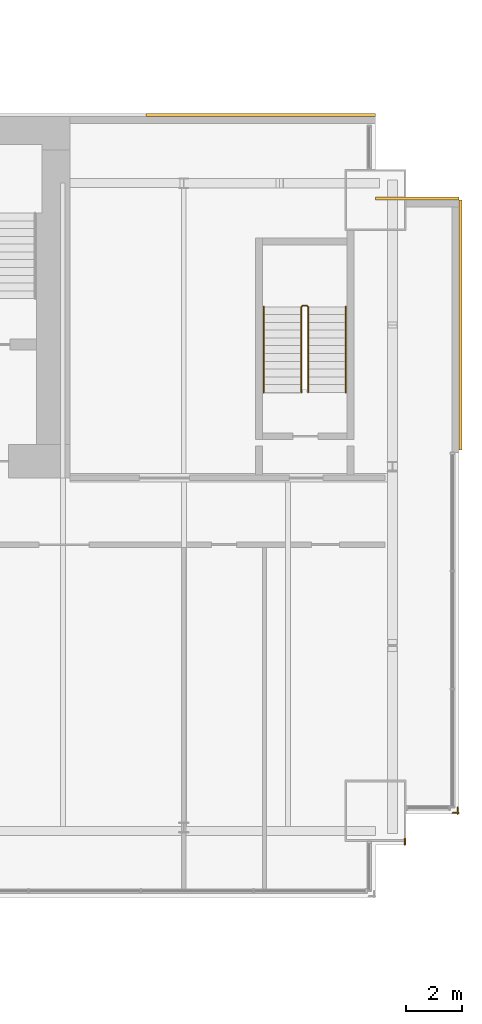
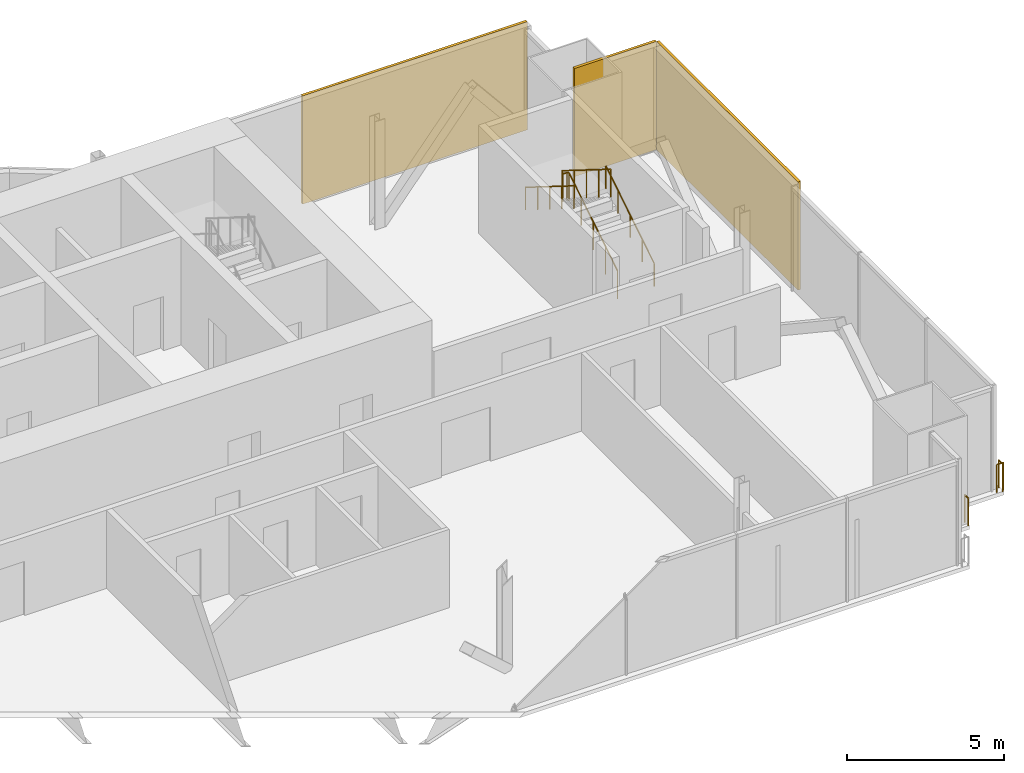
# One storey, part 19 of 19: 5 railings, 3 coverings.
"""IFC4 building model written with IfcOpenShell, lengths in metres."""

from ifc_helpers import new_model, si_unit, direction, frame, origin, origin_2d, place, context, subcontext, project, spatial, rectangle, circle, extrude, material, layer, layer_set, type_object, element, save


model = new_model("IFC4")

# Units and contexts
model_context = context("Model", 3, precision=1e-05, world=origin(), true_north=direction((0.0, 1.0)))
body_context = subcontext(model_context, "Body", "Model", "MODEL_VIEW")
ifc_project = project(units=[si_unit("LENGTHUNIT", "METRE"), si_unit("AREAUNIT", "SQUARE_METRE"), si_unit("VOLUMEUNIT", "CUBIC_METRE"), si_unit("PLANEANGLEUNIT", "RADIAN"), si_unit("MASSUNIT", "GRAM", prefix="KILO")], contexts=[model_context])

# Site, building, storey
site_placement = place(None, origin())
site = spatial("IfcSite", under=ifc_project, at=site_placement, CompositionType="ELEMENT")
building_placement = place(site_placement, origin())
building = spatial("IfcBuilding", under=site, at=building_placement, Name="Bicima Exchange Tower", CompositionType="ELEMENT")
storey_placement = place(building_placement, frame((0.0, 0.0, 279.199951171875)))
storey = spatial("IfcBuildingStorey", under=building, at=storey_placement, Name="L63", CompositionType="ELEMENT", Elevation=279.199951171875)

# Coverings
ifc_material_1 = material(Name="Bronze metal cladding")
ifc_layer_1 = layer(ifc_material_1, 0.004)
ifc_material_2 = material(Name="Ventilated cavity")
ifc_layer_2 = layer(ifc_material_2, 0.06)
ifc_material_3 = material(Name="Galvanised steel rail and mineral wool", Category="steel")
ifc_layer_3 = layer(ifc_material_3, 0.036)
ifc_layer_set = layer_set([ifc_layer_1, ifc_layer_2, ifc_layer_3], Name="Ventilated cavity")
covering_type = type_object("IfcCoveringType", Name="Bronze metal cladding panel 100", PredefinedType="CLADDING", material=ifc_layer_set)
covering_1_placement = place(storey_placement, frame((28.875, 0.050048828125, -0.14990234375), z_axis=(0.0, 0.0, 1.0), x_axis=(-1.0, 0.0, 0.0)))
element("IfcCovering", 1, at=covering_1_placement, inside=storey, type_object=covering_type, Name="Bronze cladding L63 1.1", PredefinedType="CLADDING", context=body_context, shape_type="SweptSolid", body=[
    extrude(rectangle(XDim=8.25, YDim=0.10009765625, at=origin_2d()), origin(), (0.0, 0.0, 1.0), 4.199951171875),
])
covering_2_placement = place(storey_placement, frame((36.050048828125, -7.5, -0.14990234375), z_axis=(0.0, 0.0, 1.0), x_axis=(0.0, 1.0, 0.0)))
element("IfcCovering", 2, at=covering_2_placement, inside=storey, type_object=covering_type, Name="Bronze cladding L63 50.1", PredefinedType="CLADDING", context=body_context, shape_type="SweptSolid", body=[
    extrude(rectangle(XDim=9.0, YDim=0.10009765625, at=origin_2d()), origin(), (0.0, 0.0, 1.0), 4.199951171875),
])
covering_3_placement = place(storey_placement, frame((34.5, -2.949951171875, -0.14990234375), z_axis=(0.0, 0.0, 1.0), x_axis=(-1.0, 0.0, 0.0)))
element("IfcCovering", 3, at=covering_3_placement, inside=storey, type_object=covering_type, Name="Bronze cladding L63 51.1", PredefinedType="CLADDING", context=body_context, shape_type="SweptSolid", body=[
    extrude(rectangle(XDim=3.0, YDim=0.10009765625, at=origin_2d()), origin(), (0.0, 0.0, 1.0), 4.199951171875),
])

# Railings
ifc_material_4 = material(Name="Stainless steel and bonded safety glass", Category="steel")
railing_type_1 = type_object("IfcRailingType", Name="Edge guard 1100", PredefinedType="GUARDRAIL", material=ifc_material_4)
railing_1_placement = place(storey_placement, frame((35.949951171875, -24.843994140625, 0.0)))
element("IfcRailing", 4, at=railing_1_placement, inside=storey, type_object=railing_type_1, Name="Edge guard L63 326", PredefinedType="GUARDRAIL", context=body_context, shape_type="SweptSolid", body=[
    extrude(circle(Radius=0.02392578125, at=origin_2d()), frame((0.0, 0.0, 1.076171875), z_axis=(0.0, -1.0, 0.0), x_axis=(1.0, 0.0, 0.0)), (0.0, 0.0, 1.0), 0.248046875),
    extrude(circle(Radius=0.02392578125, at=origin_2d()), frame((0.0, -0.248046875, 1.076171875), z_axis=(0.707106781187, 0.707106781187, 0.0), x_axis=(-0.707106781187, 0.707106781187, 0.0)), (0.0, 0.0, 1.0), 0.07080078125),
    extrude(circle(Radius=0.02392578125, at=origin_2d()), frame((0.050048828125, -0.197998046875, 1.076171875), z_axis=(-1.0, 0.0, 0.0), x_axis=(0.0, -1.0, 0.0)), (0.0, 0.0, 1.0), 0.237060546875),
    extrude(circle(Radius=0.02099609375, at=origin_2d()), origin(), (0.0, 0.0, 1.0), 1.052001953125),
    extrude(circle(Radius=0.02099609375, at=origin_2d()), frame((0.0, -0.248046875, 0.0)), (0.0, 0.0, 1.0), 1.052001953125),
    extrude(circle(Radius=0.02099609375, at=origin_2d()), frame((0.050048828125, -0.197998046875, 0.0)), (0.0, 0.0, 1.0), 1.052001953125),
    extrude(circle(Radius=0.02099609375, at=origin_2d()), frame((-0.18701171875, -0.197998046875, 0.0)), (0.0, 0.0, 1.0), 1.052001953125),
])
railing_2_placement = place(storey_placement, frame((34.050048828125, -25.971923828125, 0.0)))
element("IfcRailing", 5, at=railing_2_placement, inside=storey, type_object=railing_type_1, Name="Edge guard L63 327", PredefinedType="GUARDRAIL", context=body_context, shape_type="SweptSolid", body=[
    extrude(circle(Radius=0.02392578125, at=origin_2d()), frame((0.0, 0.0, 1.076171875), z_axis=(0.0, -1.0, 0.0), x_axis=(1.0, 0.0, 0.0)), (0.0, 0.0, 1.0), 0.219970703125),
    extrude(circle(Radius=0.02099609375, at=origin_2d()), origin(), (0.0, 0.0, 1.0), 1.052001953125),
    extrude(circle(Radius=0.02099609375, at=origin_2d()), frame((0.0, -0.219970703125, 0.0)), (0.0, 0.0, 1.0), 1.052001953125),
])
ifc_material_5 = material(Name="Stainless steel", Category="steel")
railing_type_2 = type_object("IfcRailingType", Name="Stair guard 1100", PredefinedType="GUARDRAIL", material=ifc_material_5)
railing_3_placement = place(storey_placement, frame((30.574951171875, -9.925048828125, 0.175048828125)))
element("IfcRailing", 6, at=railing_3_placement, inside=storey, type_object=railing_type_2, Name="L63 ST-EE stair guard 1", PredefinedType="GUARDRAIL", context=body_context, shape_type="SweptSolid", body=[
    extrude(circle(Radius=0.02392578125, at=origin_2d()), frame((0.0, 0.0, 1.076171875), z_axis=(0.0, 0.847998304005, 0.529998940003), x_axis=(-1.0, 0.0, 0.0)), (0.0, 0.0, 1.0), 3.632080078125),
    extrude(circle(Radius=0.02392578125, at=origin_2d()), frame((0.0, 3.080078125, 3.0009765625), z_axis=(-0.707106781187, 0.707106781187, 0.0), x_axis=(-0.707106781187, -0.707106781187, 0.0)), (0.0, 0.0, 1.0), 0.07080078125),
    extrude(circle(Radius=0.02392578125, at=origin_2d()), frame((-0.050048828125, 3.130126953125, 3.0009765625), z_axis=(-1.0, 0.0, 0.0), x_axis=(0.0, -1.0, 0.0)), (0.0, 0.0, 1.0), 0.14990234375),
    extrude(circle(Radius=0.02392578125, at=origin_2d()), frame((-0.199951171875, 3.130126953125, 3.0009765625), z_axis=(-0.265065253269, -0.265065253269, 0.927081885822), x_axis=(0.707106781187, -0.707106781187, 0.0)), (0.0, 0.0, 1.0), 0.188720703125),
    extrude(circle(Radius=0.02392578125, at=origin_2d()), frame((-0.25, 3.080078125, 3.17626953125), z_axis=(0.0, -0.848028513186, 0.529950602248), x_axis=(1.0, 0.0, 0.0)), (0.0, 0.0, 1.0), 3.632080078125),
    extrude(circle(Radius=0.02099609375, at=origin_2d()), origin(), (0.0, 0.0, 1.0), 1.052001953125),
    extrude(circle(Radius=0.02099609375, at=origin_2d()), frame((0.0, 0.77001953125, 0.481201171875)), (0.0, 0.0, 1.0), 1.052001953125),
    extrude(circle(Radius=0.02099609375, at=origin_2d()), frame((0.0, 1.5400390625, 0.96240234375)), (0.0, 0.0, 1.0), 1.052001953125),
    extrude(circle(Radius=0.02099609375, at=origin_2d()), frame((0.0, 2.31005859375, 1.44384765625)), (0.0, 0.0, 1.0), 1.052001953125),
    extrude(circle(Radius=0.02099609375, at=origin_2d()), frame((0.0, 3.080078125, 1.925048828125)), (0.0, 0.0, 1.0), 1.052001953125),
    extrude(circle(Radius=0.02099609375, at=origin_2d()), frame((-0.050048828125, 3.130126953125, 1.925048828125)), (0.0, 0.0, 1.0), 1.052001953125),
    extrude(circle(Radius=0.02099609375, at=origin_2d()), frame((-0.199951171875, 3.130126953125, 1.925048828125)), (0.0, 0.0, 1.0), 1.052001953125),
    extrude(circle(Radius=0.02099609375, at=origin_2d()), frame((-0.25, 3.080078125, 2.10009765625)), (0.0, 0.0, 1.0), 1.052001953125),
    extrude(circle(Radius=0.02099609375, at=origin_2d()), frame((-0.25, 2.31005859375, 2.581298828125)), (0.0, 0.0, 1.0), 1.052001953125),
    extrude(circle(Radius=0.02099609375, at=origin_2d()), frame((-0.25, 1.5400390625, 3.0625)), (0.0, 0.0, 1.0), 1.052001953125),
    extrude(circle(Radius=0.02099609375, at=origin_2d()), frame((-0.25, 0.77001953125, 3.543701171875)), (0.0, 0.0, 1.0), 1.052001953125),
    extrude(circle(Radius=0.02099609375, at=origin_2d()), frame((-0.25, 0.0, 4.02490234375)), (0.0, 0.0, 1.0), 1.052001953125),
])
railing_type_3 = type_object("IfcRailingType", Name="Stair handrail 900", PredefinedType="HANDRAIL", material=ifc_material_5)
railing_4_placement = place(storey_placement, frame((31.925048828125, -9.925048828125, 0.175048828125)))
element("IfcRailing", 7, at=railing_4_placement, inside=storey, type_object=railing_type_3, Name="L63 ST-EE stair handrail 1", PredefinedType="HANDRAIL", context=body_context, shape_type="SweptSolid", body=[
    extrude(circle(Radius=0.02392578125, at=origin_2d()), frame((0.0, 0.0, 0.8759765625), z_axis=(0.0, 0.847998304005, 0.529998940003), x_axis=(-1.0, 0.0, 0.0)), (0.0, 0.0, 1.0), 3.632080078125),
    extrude(circle(Radius=0.02099609375, at=origin_2d()), origin(), (0.0, 0.0, 1.0), 0.851806640625),
    extrude(circle(Radius=0.02099609375, at=origin_2d()), frame((0.0, 0.77001953125, 0.481201171875)), (0.0, 0.0, 1.0), 0.851806640625),
    extrude(circle(Radius=0.02099609375, at=origin_2d()), frame((0.0, 1.5400390625, 0.96240234375)), (0.0, 0.0, 1.0), 0.851806640625),
    extrude(circle(Radius=0.02099609375, at=origin_2d()), frame((0.0, 2.31005859375, 1.44384765625)), (0.0, 0.0, 1.0), 0.851806640625),
    extrude(circle(Radius=0.02099609375, at=origin_2d()), frame((0.0, 3.080078125, 1.925048828125)), (0.0, 0.0, 1.0), 0.851806640625),
])
railing_5_placement = place(storey_placement, frame((28.97509765625, -6.844970703125, 2.303955078125)))
element("IfcRailing", 8, at=railing_5_placement, inside=storey, type_object=railing_type_3, Name="L63 ST-EE stair handrail 2", PredefinedType="HANDRAIL", context=body_context, shape_type="SweptSolid", body=[
    extrude(circle(Radius=0.02392578125, at=origin_2d()), frame((0.0, 0.0, 0.8759765625), z_axis=(0.0, -0.847998304005, 0.529998940003), x_axis=(1.0, 0.0, 0.0)), (0.0, 0.0, 1.0), 3.632080078125),
    extrude(circle(Radius=0.02099609375, at=origin_2d()), origin(), (0.0, 0.0, 1.0), 0.851806640625),
    extrude(circle(Radius=0.02099609375, at=origin_2d()), frame((0.0, -0.77001953125, 0.481201171875)), (0.0, 0.0, 1.0), 0.851806640625),
    extrude(circle(Radius=0.02099609375, at=origin_2d()), frame((0.0, -1.5400390625, 0.96240234375)), (0.0, 0.0, 1.0), 0.851806640625),
    extrude(circle(Radius=0.02099609375, at=origin_2d()), frame((0.0, -2.31005859375, 1.44384765625)), (0.0, 0.0, 1.0), 0.851806640625),
    extrude(circle(Radius=0.02099609375, at=origin_2d()), frame((0.0, -3.080078125, 1.925048828125)), (0.0, 0.0, 1.0), 0.851806640625),
])

save(model, "model.ifc")
